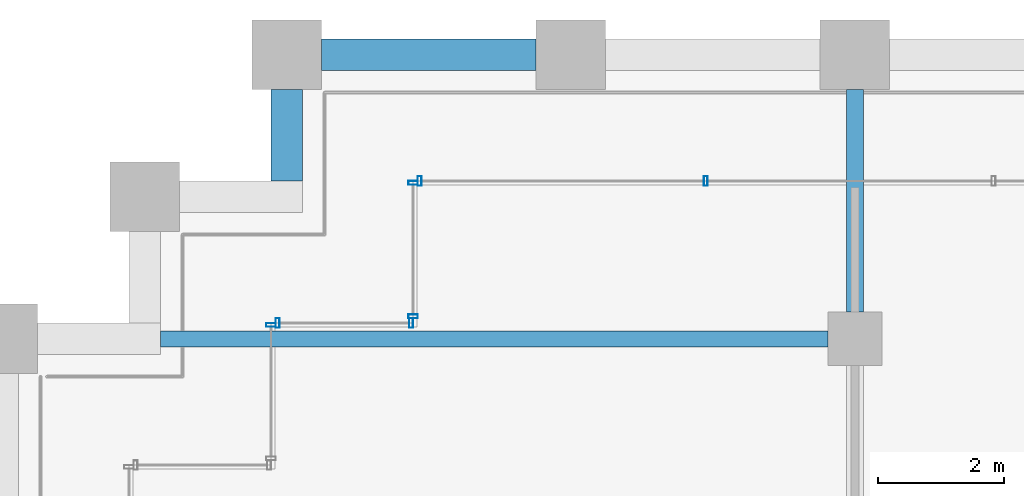
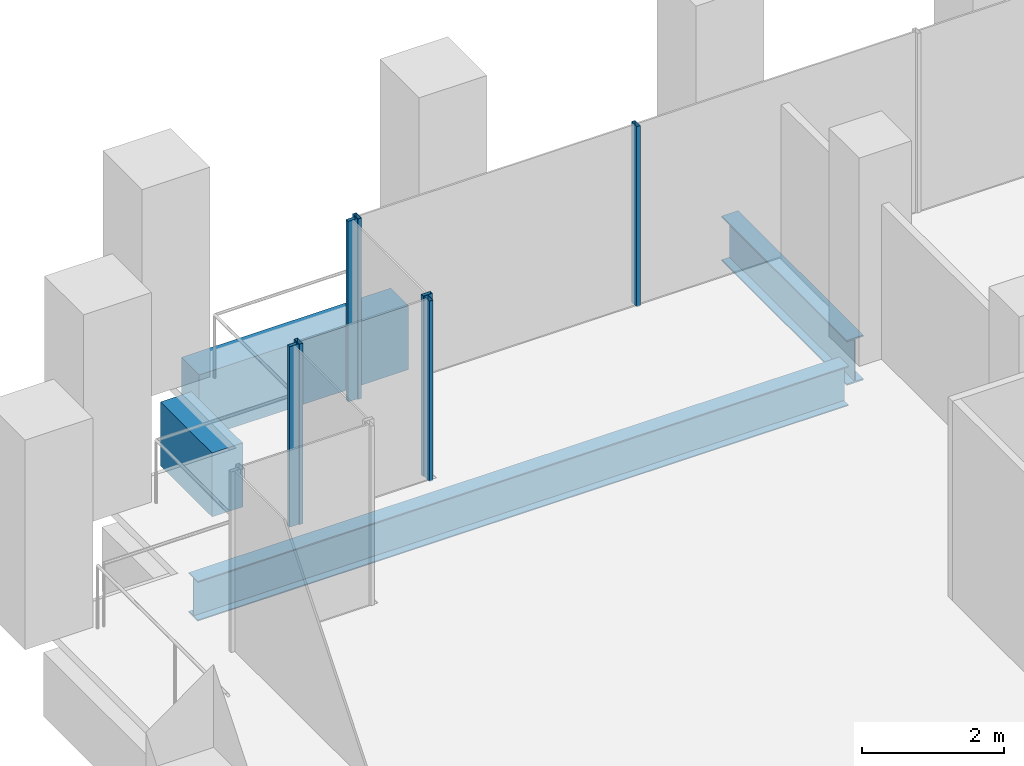
# One storey, part 26 of 54: 7 members, 4 beams, 4 elements without a shape of their own.
"""IFC4 building model written with IfcOpenShell, lengths in metres."""

from ifc_helpers import new_model, si_unit, direction, frame, origin, origin_2d, place, context, subcontext, project, spatial, rectangle, hollow_rectangle, i_section, extrude, material, material_profile, profile_set, type_object, element, aggregate, save


model = new_model("IFC4")

# Units and contexts
model_context = context("Model", 3, precision=1e-05, world=origin(), true_north=direction((0.0, 1.0)))
body_context = subcontext(model_context, "Body", "Model", "MODEL_VIEW")
ifc_project = project(units=[si_unit("LENGTHUNIT", "METRE"), si_unit("AREAUNIT", "SQUARE_METRE"), si_unit("VOLUMEUNIT", "CUBIC_METRE"), si_unit("PLANEANGLEUNIT", "RADIAN"), si_unit("MASSUNIT", "GRAM", prefix="KILO")], contexts=[model_context])

# Site, building, storey
site_placement = place(None, origin())
site = spatial("IfcSite", under=ifc_project, at=site_placement, CompositionType="ELEMENT")
building_placement = place(site_placement, origin())
building = spatial("IfcBuilding", under=site, at=building_placement, Name="Altepetl Exchange Towers", CompositionType="ELEMENT")
storey_placement = place(building_placement, frame((0.0, 0.0, 65.39990234375)))
storey = spatial("IfcBuildingStorey", under=building, at=storey_placement, Name="L15", CompositionType="ELEMENT", Elevation=65.39990234375)

# Beams
ifc_material_1 = material(Name="Steel S355", Category="steel")
ifc_material_profile_1 = material_profile(ifc_material_1, i_section(OverallWidth=0.25390625, OverallDepth=0.68408203125, WebThickness=0.012451171875, FlangeThickness=0.018798828125, at=origin_2d()), Name="W27X94")
ifc_profile_set_1 = profile_set([ifc_material_profile_1], Name="Steel S355")
beam_type_1 = type_object("IfcBeamType", Name="Floor beam W27X94", PredefinedType="BEAM", material=ifc_profile_set_1)
beam_1_placement = place(storey_placement, frame((29.5, 67.5, -0.491943359375), z_axis=(1.0, 0.0, 0.0), x_axis=(0.0, 1.0, 0.0)))
element("IfcBeam", 1, at=beam_1_placement, inside=storey, type_object=beam_type_1, Name="bm:A:L15:023", PredefinedType="BEAM", context=body_context, shape_type="SweptSolid", body=[
    extrude(i_section(OverallWidth=0.25390625, OverallDepth=0.68408203125, WebThickness=0.012451171875, FlangeThickness=0.018798828125, at=origin_2d()), origin(), (0.0, 0.0, 1.0), 10.574951171875),
])
ifc_material_profile_2 = material_profile(ifc_material_1, i_section(OverallWidth=0.26806640625, OverallDepth=0.77392578125, WebThickness=0.015380859375, FlangeThickness=0.025390625, at=origin_2d()), Name="W30X132")
ifc_profile_set_2 = profile_set([ifc_material_profile_2], Name="Steel S355")
beam_type_2 = type_object("IfcBeamType", Name="Girder W30X132", PredefinedType="BEAM", material=ifc_profile_set_2)
beam_2_placement = place(storey_placement, frame((40.5, 71.449951171875, -0.536865234375), z_axis=(0.0, -1.0, 0.0), x_axis=(1.0, 0.0, 0.0)))
element("IfcBeam", 2, at=beam_2_placement, inside=storey, type_object=beam_type_2, Name="gd:A:L15:003", PredefinedType="BEAM", context=body_context, shape_type="SweptSolid", body=[
    extrude(i_section(OverallWidth=0.26806640625, OverallDepth=0.77392578125, WebThickness=0.015380859375, FlangeThickness=0.025390625, at=origin_2d()), origin(), (0.0, 0.0, 1.0), 3.52490234375),
])

# Curtain wall, members
ifc_material_2 = material(Name="Aluminium 6063-T6 glazing", Category="aluminium")
curtain_wall_type = type_object("IfcCurtainWallType", Name="Loggia glazing system", PredefinedType="NOTDEFINED", material=ifc_material_2)
curtain_wall_1_placement = place(storey_placement, origin())
curtain_wall_1 = element("IfcCurtainWall", 3, at=curtain_wall_1_placement, inside=storey, type_object=curtain_wall_type, Name="CW1 run", PredefinedType="NOTDEFINED")
ifc_material_3 = material(Name="Aluminium 6063-T6", Category="aluminium")
ifc_material_profile_3 = material_profile(ifc_material_3, hollow_rectangle(XDim=0.06005859375, YDim=0.14990234375, WallThickness=0.0029296875, at=origin_2d()), Name="Mullion 60x150 aluminium")
ifc_profile_set_3 = profile_set([ifc_material_profile_3], Name="Aluminium 6063-T6")
member_type = type_object("IfcMemberType", Name="Mullion 60x150 aluminium", PredefinedType="MULLION", material=ifc_profile_set_3)
member_1_placement = place(storey_placement, frame((38.1357421875, 70.0, 0.0), z_axis=(0.0, 0.0, 1.0), x_axis=(-1.0, 0.0, 0.0)))
member_1 = element("IfcMember", 4, at=member_1_placement, type_object=member_type, Name="MU1 mullion", PredefinedType="MULLION", context=body_context, shape_type="SweptSolid", body=[
    extrude(hollow_rectangle(XDim=0.06005859375, YDim=0.14990234375, WallThickness=0.0029296875, at=origin_2d()), origin(), (0.0, 0.0, 1.0), 3.10009765625),
])
member_2_placement = place(storey_placement, frame((33.60498046875, 70.0, 0.0), z_axis=(0.0, 0.0, 1.0), x_axis=(-1.0, 0.0, 0.0)))
member_2 = element("IfcMember", 5, at=member_2_placement, type_object=member_type, Name="MU1 mullion", PredefinedType="MULLION", context=body_context, shape_type="SweptSolid", body=[
    extrude(hollow_rectangle(XDim=0.06005859375, YDim=0.14990234375, WallThickness=0.0029296875, at=origin_2d()), origin(), (0.0, 0.0, 1.0), 3.10009765625),
])
aggregate(curtain_wall_1, [member_1, member_2])

curtain_wall_2_placement = place(storey_placement, origin())
curtain_wall_2 = element("IfcCurtainWall", 6, at=curtain_wall_2_placement, inside=storey, type_object=curtain_wall_type, Name="CW1 run", PredefinedType="NOTDEFINED")
member_3_placement = place(storey_placement, frame((33.5, 69.969970703125, 0.0), z_axis=(0.0, 0.0, 1.0), x_axis=(0.0, -1.0, 0.0)))
member_3 = element("IfcMember", 7, at=member_3_placement, type_object=member_type, Name="MU1 mullion", PredefinedType="MULLION", context=body_context, shape_type="SweptSolid", body=[
    extrude(hollow_rectangle(XDim=0.06005859375, YDim=0.14990234375, WallThickness=0.0029296875, at=origin_2d()), origin(), (0.0, 0.0, 1.0), 3.10009765625),
])
member_4_placement = place(storey_placement, frame((33.5, 67.85498046875, 0.0), z_axis=(0.0, 0.0, 1.0), x_axis=(0.0, -1.0, 0.0)))
member_4 = element("IfcMember", 8, at=member_4_placement, type_object=member_type, Name="MU1 mullion", PredefinedType="MULLION", context=body_context, shape_type="SweptSolid", body=[
    extrude(hollow_rectangle(XDim=0.06005859375, YDim=0.14990234375, WallThickness=0.0029296875, at=origin_2d()), origin(), (0.0, 0.0, 1.0), 3.10009765625),
])
aggregate(curtain_wall_2, [member_3, member_4])

curtain_wall_3_placement = place(storey_placement, origin())
curtain_wall_3 = element("IfcCurtainWall", 9, at=curtain_wall_3_placement, inside=storey, type_object=curtain_wall_type, Name="CW1 run", PredefinedType="NOTDEFINED")
member_5_placement = place(storey_placement, frame((33.469970703125, 67.75, 0.0), z_axis=(0.0, 0.0, 1.0), x_axis=(-1.0, 0.0, 0.0)))
member_5 = element("IfcMember", 10, at=member_5_placement, type_object=member_type, Name="MU1 mullion", PredefinedType="MULLION", context=body_context, shape_type="SweptSolid", body=[
    extrude(hollow_rectangle(XDim=0.06005859375, YDim=0.14990234375, WallThickness=0.0029296875, at=origin_2d()), origin(), (0.0, 0.0, 1.0), 3.10009765625),
])
member_6_placement = place(storey_placement, frame((31.35498046875, 67.75, 0.0), z_axis=(0.0, 0.0, 1.0), x_axis=(-1.0, 0.0, 0.0)))
member_6 = element("IfcMember", 11, at=member_6_placement, type_object=member_type, Name="MU1 mullion", PredefinedType="MULLION", context=body_context, shape_type="SweptSolid", body=[
    extrude(hollow_rectangle(XDim=0.06005859375, YDim=0.14990234375, WallThickness=0.0029296875, at=origin_2d()), origin(), (0.0, 0.0, 1.0), 3.10009765625),
])
aggregate(curtain_wall_3, [member_5, member_6])

# Curtain wall, member
curtain_wall_4_placement = place(storey_placement, origin())
curtain_wall_4 = element("IfcCurtainWall", 12, at=curtain_wall_4_placement, inside=storey, type_object=curtain_wall_type, Name="CW1 run", PredefinedType="NOTDEFINED")
member_7_placement = place(storey_placement, frame((31.25, 67.719970703125, 0.0), z_axis=(0.0, 0.0, 1.0), x_axis=(0.0, -1.0, 0.0)))
member_7 = element("IfcMember", 13, at=member_7_placement, type_object=member_type, Name="MU1 mullion", PredefinedType="MULLION", context=body_context, shape_type="SweptSolid", body=[
    extrude(hollow_rectangle(XDim=0.06005859375, YDim=0.14990234375, WallThickness=0.0029296875, at=origin_2d()), origin(), (0.0, 0.0, 1.0), 3.10009765625),
])
aggregate(curtain_wall_4, [member_7])

# Beams
ifc_material_4 = material(Name="Concrete C50/60 precast with tezontle facing", Category="concrete")
ifc_material_profile_4 = material_profile(ifc_material_4, rectangle(XDim=0.5, YDim=1.10009765625, at=origin_2d()), Name="500 x 1100")
ifc_profile_set_4 = profile_set([ifc_material_profile_4], Name="Concrete C50/60 precast with tezontle facing")
beam_type_3 = type_object("IfcBeamType", Name="Spandrel beam 500x1100 tezontle", PredefinedType="SPANDREL", material=ifc_profile_set_4)
beam_3_placement = place(storey_placement, frame((35.449951171875, 72.0, -0.699951171875), z_axis=(-1.0, 0.0, 0.0), x_axis=(0.0, -1.0, 0.0)))
element("IfcBeam", 14, at=beam_3_placement, inside=storey, type_object=beam_type_3, Name="sp:A:L15:031", PredefinedType="SPANDREL", context=body_context, shape_type="SweptSolid", body=[
    extrude(rectangle(XDim=0.5, YDim=1.10009765625, at=origin_2d()), origin(), (0.0, 0.0, 1.0), 3.39990234375),
])
beam_4_placement = place(storey_placement, frame((31.5, 71.449951171875, -0.699951171875), z_axis=(0.0, -1.0, 0.0), x_axis=(1.0, 0.0, 0.0)))
element("IfcBeam", 15, at=beam_4_placement, inside=storey, type_object=beam_type_3, Name="sp:A:L15:032", PredefinedType="SPANDREL", context=body_context, shape_type="SweptSolid", body=[
    extrude(rectangle(XDim=0.5, YDim=1.10009765625, at=origin_2d()), origin(), (0.0, 0.0, 1.0), 1.449951171875),
])

save(model, "model.ifc")
